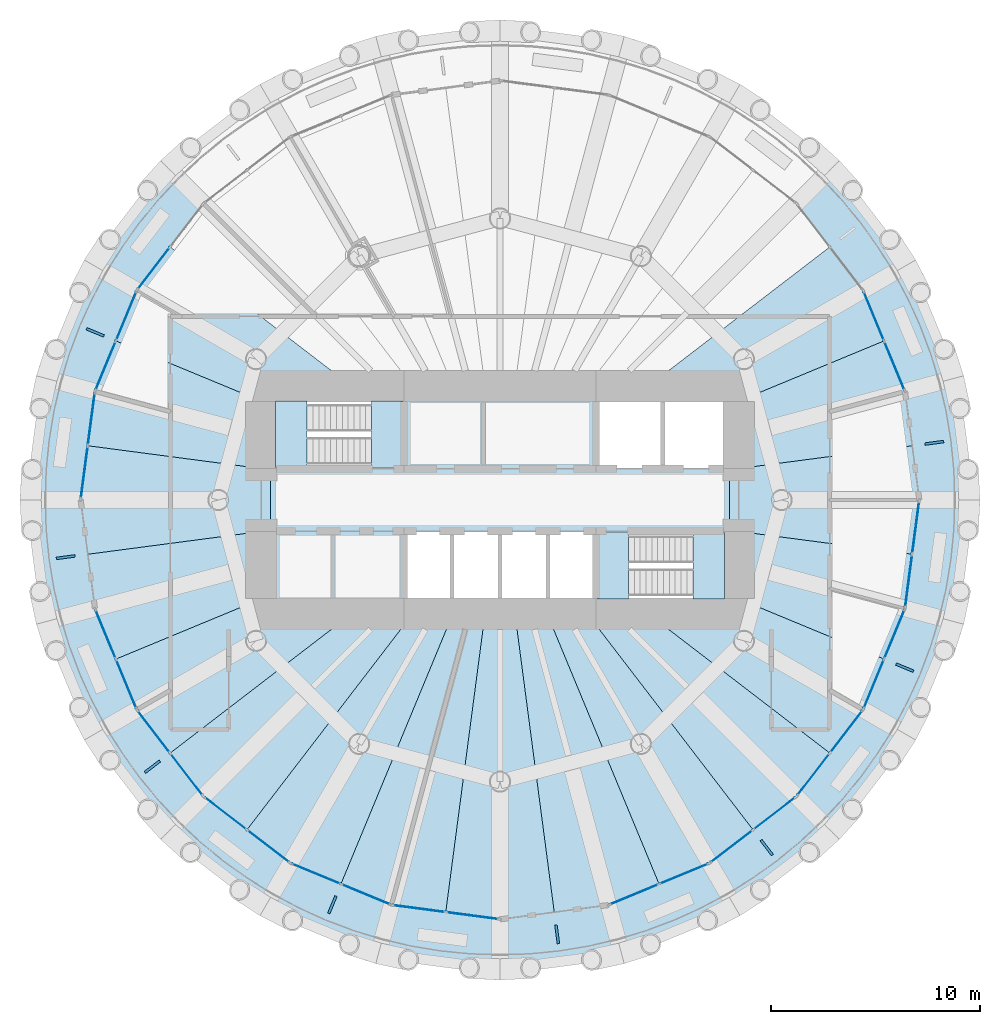
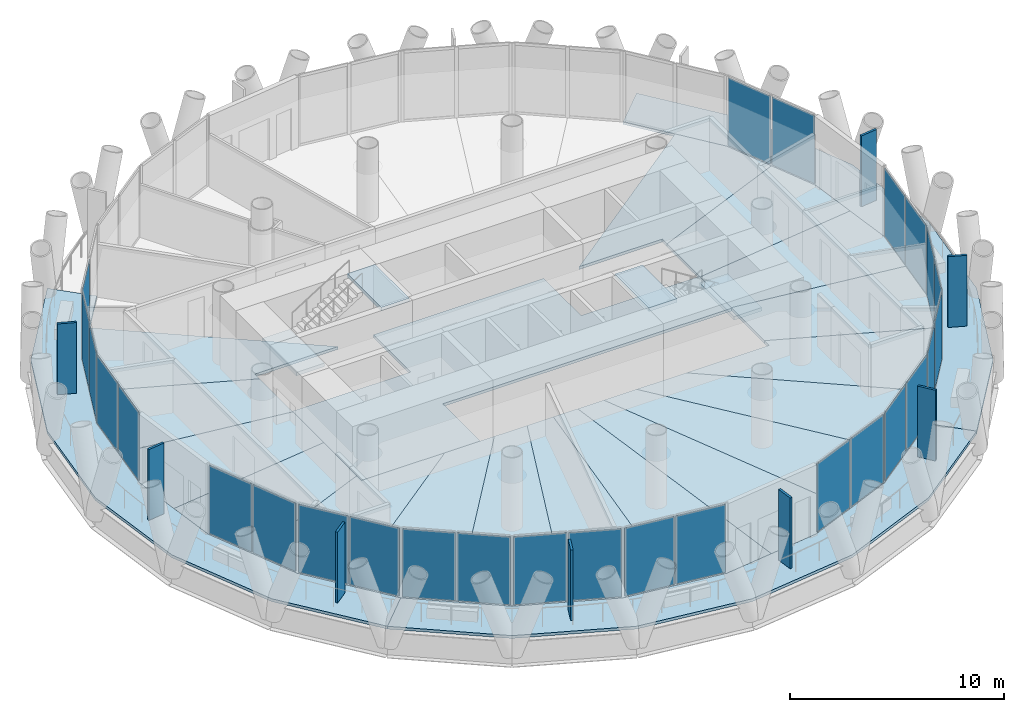
# One storey, part 7 of 14: 35 plates, 25 slabs, 16 elements without a shape of their own.
"""IFC4 building model written with IfcOpenShell, lengths in metres."""

from ifc_helpers import new_model, si_unit, direction, frame, origin, origin_2d, place, context, subcontext, project, spatial, polyline, rectangle, outline, extrude, material, layer, layer_set, type_object, element, aggregate, save


model = new_model("IFC4")

# Units and contexts
model_context = context("Model", 3, precision=1e-05, world=origin(), true_north=direction((0.0, 1.0)))
body_context = subcontext(model_context, "Body", "Model", "MODEL_VIEW")
ifc_project = project(units=[si_unit("LENGTHUNIT", "METRE"), si_unit("AREAUNIT", "SQUARE_METRE"), si_unit("VOLUMEUNIT", "CUBIC_METRE"), si_unit("PLANEANGLEUNIT", "RADIAN"), si_unit("MASSUNIT", "GRAM", prefix="KILO")], contexts=[model_context])

# Site, building, storey
site_placement = place(None, origin())
site = spatial("IfcSite", under=ifc_project, at=site_placement, CompositionType="ELEMENT")
building_placement = place(site_placement, origin())
building = spatial("IfcBuilding", under=site, at=building_placement, Name="Qaws Media Tower", CompositionType="ELEMENT")
storey_placement = place(building_placement, frame((0.0, 0.0, 227.60009765625)))
storey = spatial("IfcBuildingStorey", under=building, at=storey_placement, Name="L52", CompositionType="ELEMENT", Elevation=227.60009765625)

# Slabs
ifc_material_1 = material(Name="Concrete C35/45", Category="concrete")
ifc_layer_1 = layer(ifc_material_1, 0.159912109375)
ifc_layer_set_1 = layer_set([ifc_layer_1], Name="Composite balcony slab 160")
slab_type_1 = type_object("IfcSlabType", Name="Composite balcony slab 160", PredefinedType="FLOOR", material=ifc_layer_set_1)
slab_1_placement = place(storey_placement, frame((0.0, 0.0, -0.16015625)))
element("IfcSlab", 1, at=slab_1_placement, inside=storey, type_object=slab_type_1, Name="S2 balcony slab L52 R10 to R16, movement joints on R10 and R16", PredefinedType="FLOOR", context=body_context, shape_type="SweptSolid", body=[
    extrude(outline(polyline([(40.514404296875, 38.75), (38.2666015625, 44.176513671875), (37.5, 50.0), (38.2666015625, 55.823486328125), (40.514404296875, 61.25), (44.090087890625, 65.909912109375), (45.787109375, 64.212890625), (42.593017578125, 60.050048828125), (40.5849609375, 55.202392578125), (39.89990234375, 50.0), (40.5849609375, 44.797607421875), (42.593017578125, 39.949951171875), (45.787109375, 35.787109375), (44.090087890625, 34.090087890625), (40.514404296875, 38.75)])), origin(), (0.0, 0.0, 1.0), 0.16015625),
])
slab_2_placement = place(storey_placement, frame((0.0, 0.0, -0.16015625)))
element("IfcSlab", 2, at=slab_2_placement, inside=storey, type_object=slab_type_1, Name="S2 balcony slab L52 R16 to R22, movement joints on R16 and R22", PredefinedType="FLOOR", context=body_context, shape_type="SweptSolid", body=[
    extrude(outline(polyline([(71.25, 30.514404296875), (65.823486328125, 28.2666015625), (60.0, 27.5), (54.176513671875, 28.2666015625), (48.75, 30.514404296875), (44.090087890625, 34.090087890625), (45.787109375, 35.787109375), (49.949951171875, 32.593017578125), (54.797607421875, 30.5849609375), (60.0, 29.89990234375), (65.202392578125, 30.5849609375), (70.050048828125, 32.593017578125), (74.212890625, 35.787109375), (75.909912109375, 34.090087890625), (71.25, 30.514404296875)])), origin(), (0.0, 0.0, 1.0), 0.16015625),
])
slab_3_placement = place(storey_placement, frame((0.0, 0.0, -0.16015625)))
element("IfcSlab", 3, at=slab_3_placement, inside=storey, type_object=slab_type_1, Name="S2 balcony slab L52 R22 to R04, movement joints on R22 and R04", PredefinedType="FLOOR", context=body_context, shape_type="SweptSolid", body=[
    extrude(outline(polyline([(79.485595703125, 38.75), (75.909912109375, 34.090087890625), (74.212890625, 35.787109375), (77.406982421875, 39.949951171875), (79.4150390625, 44.797607421875), (80.10009765625, 50.0), (79.4150390625, 55.202392578125), (77.406982421875, 60.050048828125), (74.212890625, 64.212890625), (75.909912109375, 65.909912109375), (79.485595703125, 61.25), (81.7333984375, 55.823486328125), (82.5, 50.0), (81.7333984375, 44.176513671875), (79.485595703125, 38.75)])), origin(), (0.0, 0.0, 1.0), 0.16015625),
])
ifc_material_2 = material(Name="Concrete C35/45", Category="concrete")
ifc_layer_2 = layer(ifc_material_2, 0.159912109375)
ifc_layer_set_2 = layer_set([ifc_layer_2], Name="Composite floor slab 160")
slab_type_2 = type_object("IfcSlabType", Name="Composite floor slab 160", PredefinedType="FLOOR", material=ifc_layer_set_2)
slab_4_placement = place(storey_placement, frame((0.0, 0.0, -0.16015625)))
element("IfcSlab", 4, at=slab_4_placement, inside=storey, type_object=slab_type_2, Name="S1 core floor slab L52", PredefinedType="FLOOR", context=body_context, shape_type="SweptSolid", body=[
    extrude(outline(polyline([(71.0, 51.5), (71.0, 48.5), (55.39990234375, 48.5), (55.39990234375, 45.0), (49.0, 45.0), (49.0, 51.5), (55.39990234375, 51.5), (55.39990234375, 55.0), (64.60009765625, 55.0), (64.60009765625, 51.5), (71.0, 51.5)])), origin(), (0.0, 0.0, 1.0), 0.16015625),
])
slab_5_placement = place(storey_placement, frame((0.0, 0.0, -0.16015625)))
element("IfcSlab", 5, at=slab_5_placement, inside=storey, type_object=slab_type_2, Name="S1 floor panel L52 on R01", PredefinedType="FLOOR", context=body_context, shape_type="SweptSolid", body=[
    extrude(outline(polyline([(80.10009765625, 50.0), (79.757568359375, 47.39892578125), (71.0, 48.5517578125), (71.0, 51.4482421875), (79.757568359375, 52.60107421875), (80.10009765625, 50.0)])), origin(), (0.0, 0.0, 1.0), 0.16015625),
])
slab_6_placement = place(storey_placement, frame((0.0, 0.0, -0.16015625)))
element("IfcSlab", 6, at=slab_6_placement, inside=storey, type_object=slab_type_2, Name="S1 floor panel L52 on R02", PredefinedType="FLOOR", context=body_context, shape_type="SweptSolid", body=[
    extrude(outline(polyline([(79.4150390625, 55.202392578125), (79.757568359375, 52.60107421875), (71.0, 51.4482421875), (71.0, 54.556396484375), (78.4111328125, 57.626220703125), (79.4150390625, 55.202392578125)])), origin(), (0.0, 0.0, 1.0), 0.16015625),
])
slab_7_placement = place(storey_placement, frame((0.0, 0.0, -0.16015625)))
element("IfcSlab", 7, at=slab_7_placement, inside=storey, type_object=slab_type_2, Name="S1 floor panel L52 on R03", PredefinedType="FLOOR", context=body_context, shape_type="SweptSolid", body=[
    extrude(outline(polyline([(77.406982421875, 60.050048828125), (78.4111328125, 57.626220703125), (71.0, 54.556396484375), (71.0, 55.0), (66.51611328125, 55.0), (75.81005859375, 62.13134765625), (77.406982421875, 60.050048828125)])), origin(), (0.0, 0.0, 1.0), 0.16015625),
])
slab_8_placement = place(storey_placement, frame((0.0, 0.0, -0.16015625)))
element("IfcSlab", 8, at=slab_8_placement, inside=storey, type_object=slab_type_2, Name="S1 floor panel L52 on R11", PredefinedType="FLOOR", context=body_context, shape_type="SweptSolid", body=[
    extrude(outline(polyline([(42.593017578125, 60.050048828125), (44.18994140625, 62.13134765625), (53.48388671875, 55.0), (49.0, 55.0), (49.0, 54.556396484375), (41.5888671875, 57.626220703125), (42.593017578125, 60.050048828125)])), origin(), (0.0, 0.0, 1.0), 0.16015625),
])
slab_9_placement = place(storey_placement, frame((0.0, 0.0, -0.16015625)))
element("IfcSlab", 9, at=slab_9_placement, inside=storey, type_object=slab_type_2, Name="S1 floor panel L52 on R12", PredefinedType="FLOOR", context=body_context, shape_type="SweptSolid", body=[
    extrude(outline(polyline([(40.5849609375, 55.202392578125), (41.5888671875, 57.626220703125), (49.0, 54.556396484375), (49.0, 51.4482421875), (40.242431640625, 52.60107421875), (40.5849609375, 55.202392578125)])), origin(), (0.0, 0.0, 1.0), 0.16015625),
])
slab_10_placement = place(storey_placement, frame((0.0, 0.0, -0.16015625)))
element("IfcSlab", 10, at=slab_10_placement, inside=storey, type_object=slab_type_2, Name="S1 floor panel L52 on R13", PredefinedType="FLOOR", context=body_context, shape_type="SweptSolid", body=[
    extrude(outline(polyline([(39.89990234375, 50.0), (40.242431640625, 52.60107421875), (49.0, 51.4482421875), (49.0, 48.5517578125), (40.242431640625, 47.39892578125), (39.89990234375, 50.0)])), origin(), (0.0, 0.0, 1.0), 0.16015625),
])
slab_11_placement = place(storey_placement, frame((0.0, 0.0, -0.16015625)))
element("IfcSlab", 11, at=slab_11_placement, inside=storey, type_object=slab_type_2, Name="S1 floor panel L52 on R14", PredefinedType="FLOOR", context=body_context, shape_type="SweptSolid", body=[
    extrude(outline(polyline([(40.5849609375, 44.797607421875), (40.242431640625, 47.39892578125), (49.0, 48.5517578125), (49.0, 45.443603515625), (41.5888671875, 42.373779296875), (40.5849609375, 44.797607421875)])), origin(), (0.0, 0.0, 1.0), 0.16015625),
])
slab_12_placement = place(storey_placement, frame((0.0, 0.0, -0.16015625)))
element("IfcSlab", 12, at=slab_12_placement, inside=storey, type_object=slab_type_2, Name="S1 floor panel L52 on R15", PredefinedType="FLOOR", context=body_context, shape_type="SweptSolid", body=[
    extrude(outline(polyline([(42.593017578125, 39.949951171875), (41.5888671875, 42.373779296875), (49.0, 45.443603515625), (49.0, 45.0), (53.48388671875, 45.0), (44.18994140625, 37.86865234375), (42.593017578125, 39.949951171875)])), origin(), (0.0, 0.0, 1.0), 0.16015625),
])
slab_13_placement = place(storey_placement, frame((0.0, 0.0, -0.16015625)))
element("IfcSlab", 13, at=slab_13_placement, inside=storey, type_object=slab_type_2, Name="S1 floor panel L52 on R16", PredefinedType="FLOOR", context=body_context, shape_type="SweptSolid", body=[
    extrude(outline(polyline([(45.787109375, 35.787109375), (44.18994140625, 37.86865234375), (53.48388671875, 45.0), (56.163330078125, 45.0), (47.86865234375, 34.18994140625), (45.787109375, 35.787109375)])), origin(), (0.0, 0.0, 1.0), 0.16015625),
])
slab_14_placement = place(storey_placement, frame((0.0, 0.0, -0.16015625)))
element("IfcSlab", 14, at=slab_14_placement, inside=storey, type_object=slab_type_2, Name="S1 floor panel L52 on R17", PredefinedType="FLOOR", context=body_context, shape_type="SweptSolid", body=[
    extrude(outline(polyline([(49.949951171875, 32.593017578125), (47.86865234375, 34.18994140625), (56.163330078125, 45.0), (57.928955078125, 45.0), (52.373779296875, 31.5888671875), (49.949951171875, 32.593017578125)])), origin(), (0.0, 0.0, 1.0), 0.16015625),
])
slab_15_placement = place(storey_placement, frame((0.0, 0.0, -0.16015625)))
element("IfcSlab", 15, at=slab_15_placement, inside=storey, type_object=slab_type_2, Name="S1 floor panel L52 on R18", PredefinedType="FLOOR", context=body_context, shape_type="SweptSolid", body=[
    extrude(outline(polyline([(54.797607421875, 30.5849609375), (52.373779296875, 31.5888671875), (57.928955078125, 45.0), (59.341796875, 45.0), (57.39892578125, 30.242431640625), (54.797607421875, 30.5849609375)])), origin(), (0.0, 0.0, 1.0), 0.16015625),
])
slab_16_placement = place(storey_placement, frame((0.0, 0.0, -0.16015625)))
element("IfcSlab", 16, at=slab_16_placement, inside=storey, type_object=slab_type_2, Name="S1 floor panel L52 on R19", PredefinedType="FLOOR", context=body_context, shape_type="SweptSolid", body=[
    extrude(outline(polyline([(60.0, 29.89990234375), (57.39892578125, 30.242431640625), (59.341796875, 45.0), (60.658203125, 45.0), (62.60107421875, 30.242431640625), (60.0, 29.89990234375)])), origin(), (0.0, 0.0, 1.0), 0.16015625),
])
slab_17_placement = place(storey_placement, frame((0.0, 0.0, -0.16015625)))
element("IfcSlab", 17, at=slab_17_placement, inside=storey, type_object=slab_type_2, Name="S1 floor panel L52 on R20", PredefinedType="FLOOR", context=body_context, shape_type="SweptSolid", body=[
    extrude(outline(polyline([(65.202392578125, 30.5849609375), (62.60107421875, 30.242431640625), (60.658203125, 45.0), (62.071044921875, 45.0), (67.626220703125, 31.5888671875), (65.202392578125, 30.5849609375)])), origin(), (0.0, 0.0, 1.0), 0.16015625),
])
slab_18_placement = place(storey_placement, frame((0.0, 0.0, -0.16015625)))
element("IfcSlab", 18, at=slab_18_placement, inside=storey, type_object=slab_type_2, Name="S1 floor panel L52 on R21", PredefinedType="FLOOR", context=body_context, shape_type="SweptSolid", body=[
    extrude(outline(polyline([(70.050048828125, 32.593017578125), (67.626220703125, 31.5888671875), (62.071044921875, 45.0), (63.836669921875, 45.0), (72.13134765625, 34.18994140625), (70.050048828125, 32.593017578125)])), origin(), (0.0, 0.0, 1.0), 0.16015625),
])
slab_19_placement = place(storey_placement, frame((0.0, 0.0, -0.16015625)))
element("IfcSlab", 19, at=slab_19_placement, inside=storey, type_object=slab_type_2, Name="S1 floor panel L52 on R22", PredefinedType="FLOOR", context=body_context, shape_type="SweptSolid", body=[
    extrude(outline(polyline([(74.212890625, 35.787109375), (72.13134765625, 34.18994140625), (63.836669921875, 45.0), (66.51611328125, 45.0), (75.81005859375, 37.86865234375), (74.212890625, 35.787109375)])), origin(), (0.0, 0.0, 1.0), 0.16015625),
])
slab_20_placement = place(storey_placement, frame((0.0, 0.0, -0.16015625)))
element("IfcSlab", 20, at=slab_20_placement, inside=storey, type_object=slab_type_2, Name="S1 floor panel L52 on R23", PredefinedType="FLOOR", context=body_context, shape_type="SweptSolid", body=[
    extrude(outline(polyline([(77.406982421875, 39.949951171875), (75.81005859375, 37.86865234375), (66.51611328125, 45.0), (71.0, 45.0), (71.0, 45.443603515625), (78.4111328125, 42.373779296875), (77.406982421875, 39.949951171875)])), origin(), (0.0, 0.0, 1.0), 0.16015625),
])
slab_21_placement = place(storey_placement, frame((0.0, 0.0, -0.16015625)))
element("IfcSlab", 21, at=slab_21_placement, inside=storey, type_object=slab_type_2, Name="S1 floor panel L52 on R24", PredefinedType="FLOOR", context=body_context, shape_type="SweptSolid", body=[
    extrude(outline(polyline([(78.4111328125, 42.373779296875), (71.0, 45.443603515625), (71.0, 48.5517578125), (79.757568359375, 47.39892578125), (79.4150390625, 44.797607421875), (78.4111328125, 42.373779296875)])), origin(), (0.0, 0.0, 1.0), 0.16015625),
])

# Curtain wall, plates
ifc_material_3 = material(Name="Aluminium and clear glass", Category="aluminium")
curtain_wall_type = type_object("IfcCurtainWallType", Name="Unitised curtain wall CW-C", PredefinedType="NOTDEFINED", material=ifc_material_3)
curtain_wall_1_placement = place(storey_placement, origin())
curtain_wall_1 = element("IfcCurtainWall", 22, at=curtain_wall_1_placement, inside=storey, type_object=curtain_wall_type, Name="CWC curtain wall L52-02", PredefinedType="NOTDEFINED")
ifc_material_4 = material(Name="Clear laminated double glazing", Category="glass")
ifc_layer_3 = layer(ifc_material_4, 0.031982421875)
ifc_layer_set_3 = layer_set([ifc_layer_3], Name="Curtain wall glass unit 32")
plate_type_1 = type_object("IfcPlateType", Name="Curtain wall glass unit 32", PredefinedType="CURTAIN_PANEL", material=ifc_layer_set_3)
plate_1_placement = place(storey_placement, frame((78.905517578125, 56.4326171875, 0.080078125), z_axis=(0.0, 0.0, 1.0), x_axis=(-0.382683365302, 0.92387956029, 0.0)))
plate_1 = element("IfcPlate", 23, at=plate_1_placement, type_object=plate_type_1, Name="CWC panel 1.1", PredefinedType="CURTAIN_PANEL", context=body_context, shape_type="SweptSolid", body=[
    extrude(rectangle(XDim=2.503662109375, YDim=0.031982421875, at=origin_2d()), origin(), (0.0, 0.0, 1.0), 3.8798828125),
])
plate_2_placement = place(storey_placement, frame((77.916748046875, 58.819580078125, 0.080078125), z_axis=(0.0, 0.0, 1.0), x_axis=(-0.382683365302, 0.92387956029, 0.0)))
plate_2 = element("IfcPlate", 24, at=plate_2_placement, type_object=plate_type_1, Name="CWC panel 2.1", PredefinedType="CURTAIN_PANEL", context=body_context, shape_type="SweptSolid", body=[
    extrude(rectangle(XDim=2.503662109375, YDim=0.031982421875, at=origin_2d()), origin(), (0.0, 0.0, 1.0), 3.8798828125),
])
aggregate(curtain_wall_1, [plate_1, plate_2])

# Curtain wall, plate
curtain_wall_2_placement = place(storey_placement, origin())
curtain_wall_2 = element("IfcCurtainWall", 25, at=curtain_wall_2_placement, inside=storey, type_object=curtain_wall_type, Name="CWC curtain wall L52-10", PredefinedType="NOTDEFINED")
plate_3_placement = place(storey_placement, frame((43.403564453125, 61.106689453125, 0.080078125), z_axis=(0.0, 0.0, 1.0), x_axis=(-0.608761539048, -0.793353255855, 0.0)))
plate_3 = element("IfcPlate", 26, at=plate_3_placement, type_object=plate_type_1, Name="CWC panel 2.1", PredefinedType="CURTAIN_PANEL", context=body_context, shape_type="SweptSolid", body=[
    extrude(rectangle(XDim=2.503662109375, YDim=0.031982421875, at=origin_2d()), origin(), (0.0, 0.0, 1.0), 3.8798828125),
])
aggregate(curtain_wall_2, [plate_3])

# Curtain wall, plates
curtain_wall_3_placement = place(storey_placement, origin())
curtain_wall_3 = element("IfcCurtainWall", 27, at=curtain_wall_3_placement, inside=storey, type_object=curtain_wall_type, Name="CWC curtain wall L52-11", PredefinedType="NOTDEFINED")
plate_4_placement = place(storey_placement, frame((42.083251953125, 58.819580078125, 0.080078125), z_axis=(0.0, 0.0, 1.0), x_axis=(-0.382683365302, -0.92387956029, 0.0)))
plate_4 = element("IfcPlate", 28, at=plate_4_placement, type_object=plate_type_1, Name="CWC panel 1.1", PredefinedType="CURTAIN_PANEL", context=body_context, shape_type="SweptSolid", body=[
    extrude(rectangle(XDim=2.503662109375, YDim=0.031982421875, at=origin_2d()), origin(), (0.0, 0.0, 1.0), 3.8798828125),
])
plate_5_placement = place(storey_placement, frame((41.094482421875, 56.4326171875, 0.080078125), z_axis=(0.0, 0.0, 1.0), x_axis=(-0.382683365302, -0.92387956029, 0.0)))
plate_5 = element("IfcPlate", 29, at=plate_5_placement, type_object=plate_type_1, Name="CWC panel 2.1", PredefinedType="CURTAIN_PANEL", context=body_context, shape_type="SweptSolid", body=[
    extrude(rectangle(XDim=2.503662109375, YDim=0.031982421875, at=origin_2d()), origin(), (0.0, 0.0, 1.0), 3.8798828125),
])
aggregate(curtain_wall_3, [plate_4, plate_5])

curtain_wall_4_placement = place(storey_placement, origin())
curtain_wall_4 = element("IfcCurtainWall", 30, at=curtain_wall_4_placement, inside=storey, type_object=curtain_wall_type, Name="CWC curtain wall L52-12", PredefinedType="NOTDEFINED")
plate_6_placement = place(storey_placement, frame((40.4111328125, 53.8818359375, 0.080078125), z_axis=(0.0, 0.0, 1.0), x_axis=(-0.130526207759, -0.991444859328, 0.0)))
plate_6 = element("IfcPlate", 31, at=plate_6_placement, type_object=plate_type_1, Name="CWC panel 1.1", PredefinedType="CURTAIN_PANEL", context=body_context, shape_type="SweptSolid", body=[
    extrude(rectangle(XDim=2.503662109375, YDim=0.031982421875, at=origin_2d()), origin(), (0.0, 0.0, 1.0), 3.8798828125),
])
plate_7_placement = place(storey_placement, frame((40.07373046875, 51.3203125, 0.080078125), z_axis=(0.0, 0.0, 1.0), x_axis=(-0.130526207759, -0.991444859328, 0.0)))
plate_7 = element("IfcPlate", 32, at=plate_7_placement, type_object=plate_type_1, Name="CWC panel 2.1", PredefinedType="CURTAIN_PANEL", context=body_context, shape_type="SweptSolid", body=[
    extrude(rectangle(XDim=2.503662109375, YDim=0.031982421875, at=origin_2d()), origin(), (0.0, 0.0, 1.0), 3.8798828125),
])
aggregate(curtain_wall_4, [plate_6, plate_7])

curtain_wall_5_placement = place(storey_placement, origin())
curtain_wall_5 = element("IfcCurtainWall", 33, at=curtain_wall_5_placement, inside=storey, type_object=curtain_wall_type, Name="CWC curtain wall L52-14", PredefinedType="NOTDEFINED")
plate_8_placement = place(storey_placement, frame((41.094482421875, 43.5673828125, 0.080078125), z_axis=(0.0, 0.0, 1.0), x_axis=(0.382683365302, -0.92387956029, 0.0)))
plate_8 = element("IfcPlate", 34, at=plate_8_placement, type_object=plate_type_1, Name="CWC panel 1.1", PredefinedType="CURTAIN_PANEL", context=body_context, shape_type="SweptSolid", body=[
    extrude(rectangle(XDim=2.503662109375, YDim=0.031982421875, at=origin_2d()), origin(), (0.0, 0.0, 1.0), 3.8798828125),
])
plate_9_placement = place(storey_placement, frame((42.083251953125, 41.180419921875, 0.080078125), z_axis=(0.0, 0.0, 1.0), x_axis=(0.382683365302, -0.92387956029, 0.0)))
plate_9 = element("IfcPlate", 35, at=plate_9_placement, type_object=plate_type_1, Name="CWC panel 2.1", PredefinedType="CURTAIN_PANEL", context=body_context, shape_type="SweptSolid", body=[
    extrude(rectangle(XDim=2.503662109375, YDim=0.031982421875, at=origin_2d()), origin(), (0.0, 0.0, 1.0), 3.8798828125),
])
aggregate(curtain_wall_5, [plate_8, plate_9])

curtain_wall_6_placement = place(storey_placement, origin())
curtain_wall_6 = element("IfcCurtainWall", 36, at=curtain_wall_6_placement, inside=storey, type_object=curtain_wall_type, Name="CWC curtain wall L52-15", PredefinedType="NOTDEFINED")
plate_10_placement = place(storey_placement, frame((43.403564453125, 38.893310546875, 0.080078125), z_axis=(0.0, 0.0, 1.0), x_axis=(0.608761539048, -0.793353255855, 0.0)))
plate_10 = element("IfcPlate", 37, at=plate_10_placement, type_object=plate_type_1, Name="CWC panel 1.1", PredefinedType="CURTAIN_PANEL", context=body_context, shape_type="SweptSolid", body=[
    extrude(rectangle(XDim=2.503662109375, YDim=0.031982421875, at=origin_2d()), origin(), (0.0, 0.0, 1.0), 3.8798828125),
])
plate_11_placement = place(storey_placement, frame((44.976318359375, 36.84375, 0.080078125), z_axis=(0.0, 0.0, 1.0), x_axis=(0.608761539048, -0.793353255855, 0.0)))
plate_11 = element("IfcPlate", 38, at=plate_11_placement, type_object=plate_type_1, Name="CWC panel 2.1", PredefinedType="CURTAIN_PANEL", context=body_context, shape_type="SweptSolid", body=[
    extrude(rectangle(XDim=2.503662109375, YDim=0.031982421875, at=origin_2d()), origin(), (0.0, 0.0, 1.0), 3.8798828125),
])
aggregate(curtain_wall_6, [plate_10, plate_11])

curtain_wall_7_placement = place(storey_placement, origin())
curtain_wall_7 = element("IfcCurtainWall", 39, at=curtain_wall_7_placement, inside=storey, type_object=curtain_wall_type, Name="CWC curtain wall L52-16", PredefinedType="NOTDEFINED")
plate_12_placement = place(storey_placement, frame((46.84375, 34.976318359375, 0.080078125), z_axis=(0.0, 0.0, 1.0), x_axis=(0.793353255855, -0.608761539048, 0.0)))
plate_12 = element("IfcPlate", 40, at=plate_12_placement, type_object=plate_type_1, Name="CWC panel 1.1", PredefinedType="CURTAIN_PANEL", context=body_context, shape_type="SweptSolid", body=[
    extrude(rectangle(XDim=2.503662109375, YDim=0.031982421875, at=origin_2d()), origin(), (0.0, 0.0, 1.0), 3.8798828125),
])
plate_13_placement = place(storey_placement, frame((48.893310546875, 33.403564453125, 0.080078125), z_axis=(0.0, 0.0, 1.0), x_axis=(0.793353255855, -0.608761539048, 0.0)))
plate_13 = element("IfcPlate", 41, at=plate_13_placement, type_object=plate_type_1, Name="CWC panel 2.1", PredefinedType="CURTAIN_PANEL", context=body_context, shape_type="SweptSolid", body=[
    extrude(rectangle(XDim=2.503662109375, YDim=0.031982421875, at=origin_2d()), origin(), (0.0, 0.0, 1.0), 3.8798828125),
])
aggregate(curtain_wall_7, [plate_12, plate_13])

curtain_wall_8_placement = place(storey_placement, origin())
curtain_wall_8 = element("IfcCurtainWall", 42, at=curtain_wall_8_placement, inside=storey, type_object=curtain_wall_type, Name="CWC curtain wall L52-17", PredefinedType="NOTDEFINED")
plate_14_placement = place(storey_placement, frame((51.180419921875, 32.083251953125, 0.080078125), z_axis=(0.0, 0.0, 1.0), x_axis=(0.92387956029, -0.382683365302, 0.0)))
plate_14 = element("IfcPlate", 43, at=plate_14_placement, type_object=plate_type_1, Name="CWC panel 1.1", PredefinedType="CURTAIN_PANEL", context=body_context, shape_type="SweptSolid", body=[
    extrude(rectangle(XDim=2.503662109375, YDim=0.031982421875, at=origin_2d()), origin(), (0.0, 0.0, 1.0), 3.8798828125),
])
plate_15_placement = place(storey_placement, frame((53.5673828125, 31.094482421875, 0.080078125), z_axis=(0.0, 0.0, 1.0), x_axis=(0.92387956029, -0.382683365302, 0.0)))
plate_15 = element("IfcPlate", 44, at=plate_15_placement, type_object=plate_type_1, Name="CWC panel 2.1", PredefinedType="CURTAIN_PANEL", context=body_context, shape_type="SweptSolid", body=[
    extrude(rectangle(XDim=2.503662109375, YDim=0.031982421875, at=origin_2d()), origin(), (0.0, 0.0, 1.0), 3.8798828125),
])
aggregate(curtain_wall_8, [plate_14, plate_15])

curtain_wall_9_placement = place(storey_placement, origin())
curtain_wall_9 = element("IfcCurtainWall", 45, at=curtain_wall_9_placement, inside=storey, type_object=curtain_wall_type, Name="CWC curtain wall L52-18", PredefinedType="NOTDEFINED")
plate_16_placement = place(storey_placement, frame((56.1181640625, 30.4111328125, 0.080078125), z_axis=(0.0, 0.0, 1.0), x_axis=(0.991444859328, -0.130526207759, 0.0)))
plate_16 = element("IfcPlate", 46, at=plate_16_placement, type_object=plate_type_1, Name="CWC panel 1.1", PredefinedType="CURTAIN_PANEL", context=body_context, shape_type="SweptSolid", body=[
    extrude(rectangle(XDim=2.503662109375, YDim=0.031982421875, at=origin_2d()), origin(), (0.0, 0.0, 1.0), 3.8798828125),
])
plate_17_placement = place(storey_placement, frame((58.6796875, 30.07373046875, 0.080078125), z_axis=(0.0, 0.0, 1.0), x_axis=(0.991444859328, -0.130526207759, 0.0)))
plate_17 = element("IfcPlate", 47, at=plate_17_placement, type_object=plate_type_1, Name="CWC panel 2.1", PredefinedType="CURTAIN_PANEL", context=body_context, shape_type="SweptSolid", body=[
    extrude(rectangle(XDim=2.503662109375, YDim=0.031982421875, at=origin_2d()), origin(), (0.0, 0.0, 1.0), 3.8798828125),
])
aggregate(curtain_wall_9, [plate_16, plate_17])

curtain_wall_10_placement = place(storey_placement, origin())
curtain_wall_10 = element("IfcCurtainWall", 48, at=curtain_wall_10_placement, inside=storey, type_object=curtain_wall_type, Name="CWC curtain wall L52-20", PredefinedType="NOTDEFINED")
plate_18_placement = place(storey_placement, frame((66.4326171875, 31.094482421875, 0.080078125), z_axis=(0.0, 0.0, 1.0), x_axis=(0.92387956029, 0.382683365302, 0.0)))
plate_18 = element("IfcPlate", 49, at=plate_18_placement, type_object=plate_type_1, Name="CWC panel 1.1", PredefinedType="CURTAIN_PANEL", context=body_context, shape_type="SweptSolid", body=[
    extrude(rectangle(XDim=2.503662109375, YDim=0.031982421875, at=origin_2d()), origin(), (0.0, 0.0, 1.0), 3.8798828125),
])
plate_19_placement = place(storey_placement, frame((68.819580078125, 32.083251953125, 0.080078125), z_axis=(0.0, 0.0, 1.0), x_axis=(0.92387956029, 0.382683365302, 0.0)))
plate_19 = element("IfcPlate", 50, at=plate_19_placement, type_object=plate_type_1, Name="CWC panel 2.1", PredefinedType="CURTAIN_PANEL", context=body_context, shape_type="SweptSolid", body=[
    extrude(rectangle(XDim=2.503662109375, YDim=0.031982421875, at=origin_2d()), origin(), (0.0, 0.0, 1.0), 3.8798828125),
])
aggregate(curtain_wall_10, [plate_18, plate_19])

curtain_wall_11_placement = place(storey_placement, origin())
curtain_wall_11 = element("IfcCurtainWall", 51, at=curtain_wall_11_placement, inside=storey, type_object=curtain_wall_type, Name="CWC curtain wall L52-21", PredefinedType="NOTDEFINED")
plate_20_placement = place(storey_placement, frame((71.106689453125, 33.403564453125, 0.080078125), z_axis=(0.0, 0.0, 1.0), x_axis=(0.793353255855, 0.608761539048, 0.0)))
plate_20 = element("IfcPlate", 52, at=plate_20_placement, type_object=plate_type_1, Name="CWC panel 1.1", PredefinedType="CURTAIN_PANEL", context=body_context, shape_type="SweptSolid", body=[
    extrude(rectangle(XDim=2.503662109375, YDim=0.031982421875, at=origin_2d()), origin(), (0.0, 0.0, 1.0), 3.8798828125),
])
plate_21_placement = place(storey_placement, frame((73.15625, 34.976318359375, 0.080078125), z_axis=(0.0, 0.0, 1.0), x_axis=(0.793353255855, 0.608761539048, 0.0)))
plate_21 = element("IfcPlate", 53, at=plate_21_placement, type_object=plate_type_1, Name="CWC panel 2.1", PredefinedType="CURTAIN_PANEL", context=body_context, shape_type="SweptSolid", body=[
    extrude(rectangle(XDim=2.503662109375, YDim=0.031982421875, at=origin_2d()), origin(), (0.0, 0.0, 1.0), 3.8798828125),
])
aggregate(curtain_wall_11, [plate_20, plate_21])

curtain_wall_12_placement = place(storey_placement, origin())
curtain_wall_12 = element("IfcCurtainWall", 54, at=curtain_wall_12_placement, inside=storey, type_object=curtain_wall_type, Name="CWC curtain wall L52-22", PredefinedType="NOTDEFINED")
plate_22_placement = place(storey_placement, frame((75.023681640625, 36.84375, 0.080078125), z_axis=(0.0, 0.0, 1.0), x_axis=(0.608761539048, 0.793353255855, 0.0)))
plate_22 = element("IfcPlate", 55, at=plate_22_placement, type_object=plate_type_1, Name="CWC panel 1.1", PredefinedType="CURTAIN_PANEL", context=body_context, shape_type="SweptSolid", body=[
    extrude(rectangle(XDim=2.503662109375, YDim=0.031982421875, at=origin_2d()), origin(), (0.0, 0.0, 1.0), 3.8798828125),
])
plate_23_placement = place(storey_placement, frame((76.596435546875, 38.893310546875, 0.080078125), z_axis=(0.0, 0.0, 1.0), x_axis=(0.608761539048, 0.793353255855, 0.0)))
plate_23 = element("IfcPlate", 56, at=plate_23_placement, type_object=plate_type_1, Name="CWC panel 2.1", PredefinedType="CURTAIN_PANEL", context=body_context, shape_type="SweptSolid", body=[
    extrude(rectangle(XDim=2.503662109375, YDim=0.031982421875, at=origin_2d()), origin(), (0.0, 0.0, 1.0), 3.8798828125),
])
aggregate(curtain_wall_12, [plate_22, plate_23])

curtain_wall_13_placement = place(storey_placement, origin())
curtain_wall_13 = element("IfcCurtainWall", 57, at=curtain_wall_13_placement, inside=storey, type_object=curtain_wall_type, Name="CWC curtain wall L52-23", PredefinedType="NOTDEFINED")
plate_24_placement = place(storey_placement, frame((77.916748046875, 41.180419921875, 0.080078125), z_axis=(0.0, 0.0, 1.0), x_axis=(0.382683365302, 0.92387956029, 0.0)))
plate_24 = element("IfcPlate", 58, at=plate_24_placement, type_object=plate_type_1, Name="CWC panel 1.1", PredefinedType="CURTAIN_PANEL", context=body_context, shape_type="SweptSolid", body=[
    extrude(rectangle(XDim=2.503662109375, YDim=0.031982421875, at=origin_2d()), origin(), (0.0, 0.0, 1.0), 3.8798828125),
])
plate_25_placement = place(storey_placement, frame((78.905517578125, 43.5673828125, 0.080078125), z_axis=(0.0, 0.0, 1.0), x_axis=(0.382683365302, 0.92387956029, 0.0)))
plate_25 = element("IfcPlate", 59, at=plate_25_placement, type_object=plate_type_1, Name="CWC panel 2.1", PredefinedType="CURTAIN_PANEL", context=body_context, shape_type="SweptSolid", body=[
    extrude(rectangle(XDim=2.503662109375, YDim=0.031982421875, at=origin_2d()), origin(), (0.0, 0.0, 1.0), 3.8798828125),
])
aggregate(curtain_wall_13, [plate_24, plate_25])

curtain_wall_14_placement = place(storey_placement, origin())
curtain_wall_14 = element("IfcCurtainWall", 60, at=curtain_wall_14_placement, inside=storey, type_object=curtain_wall_type, Name="CWC curtain wall L52-24", PredefinedType="NOTDEFINED")
plate_26_placement = place(storey_placement, frame((79.5888671875, 46.1181640625, 0.080078125), z_axis=(0.0, 0.0, 1.0), x_axis=(0.130526207759, 0.991444859328, 0.0)))
plate_26 = element("IfcPlate", 61, at=plate_26_placement, type_object=plate_type_1, Name="CWC panel 1.1", PredefinedType="CURTAIN_PANEL", context=body_context, shape_type="SweptSolid", body=[
    extrude(rectangle(XDim=2.503662109375, YDim=0.031982421875, at=origin_2d()), origin(), (0.0, 0.0, 1.0), 3.8798828125),
])
plate_27_placement = place(storey_placement, frame((79.92626953125, 48.6796875, 0.080078125), z_axis=(0.0, 0.0, 1.0), x_axis=(0.130526207759, 0.991444859328, 0.0)))
plate_27 = element("IfcPlate", 62, at=plate_27_placement, type_object=plate_type_1, Name="CWC panel 2.1", PredefinedType="CURTAIN_PANEL", context=body_context, shape_type="SweptSolid", body=[
    extrude(rectangle(XDim=2.503662109375, YDim=0.031982421875, at=origin_2d()), origin(), (0.0, 0.0, 1.0), 3.8798828125),
])
aggregate(curtain_wall_14, [plate_26, plate_27])

# Plates
ifc_material_5 = material(Name="Precast concrete screen fin", Category="concrete")
ifc_layer_4 = layer(ifc_material_5, 0.1201171875)
ifc_layer_set_4 = layer_set([ifc_layer_4], Name="Screen fin 120x900")
plate_type_2 = type_object("IfcPlateType", Name="Screen fin 120x900", PredefinedType="USERDEFINED", material=ifc_layer_set_4)
for number, where, z_axis, x_axis, name in (
    (63, (80.8203125, 52.740966796875, 0.0), (0.0, 0.0, 1.0), (0.991444861374, 0.13052619222, 0.0), "SCR1 screen fin L52-01"),
    (64, (40.5986328125, 58.036376953125, 0.0), (0.0, 0.0, 1.0), (-0.923879532511, 0.382683432365, 0.0), "SCR1 screen fin L52-06"),
    (65, (39.1796875, 47.259033203125, 0.0), (0.0, 0.0, 1.0), (-0.991444861374, -0.13052619222, 0.0), "SCR1 screen fin L52-07"),
    (66, (43.339599609375, 37.216064453125, 0.0), (0.0, 0.0, 1.0), (-0.793353340291, -0.608761429009, 0.0), "SCR1 screen fin L52-08"),
    (67, (51.963623046875, 30.5986328125, 0.0), (0.0, 0.0, 1.0), (-0.382683432365, -0.923879532511, 0.0), "SCR1 screen fin L52-09"),
    (68, (62.740966796875, 29.1796875, 0.0), (0.0, 0.0, 1.0), (0.13052619222, -0.991444861374, 0.0), "SCR1 screen fin L52-10"),
    (69, (72.783935546875, 33.339599609375, 0.0), (0.0, 0.0, 1.0), (0.608761429009, -0.793353340291, 0.0), "SCR1 screen fin L52-11"),
    (70, (79.4013671875, 41.963623046875, 0.0), (0.0, 0.0, 1.0), (0.923879532511, -0.382683432365, 0.0), "SCR1 screen fin L52-12"),
):
    element("IfcPlate", number, at=place(storey_placement, frame(where, z_axis=z_axis, x_axis=x_axis)), inside=storey, type_object=plate_type_2, Name=name, ObjectType="SCREEN", PredefinedType="USERDEFINED", context=body_context, shape_type="SweptSolid", body=[
        extrude(rectangle(XDim=0.89990234375, YDim=0.1201171875, at=origin_2d()), origin(), (0.0, 0.0, 1.0), 4.0400390625),
    ])

# Stair, slabs
ifc_material_6 = material(Name="Concrete C40/50", Category="concrete")
stair_type = type_object("IfcStairType", Name="Exit stair", PredefinedType="HALF_TURN_STAIR", material=ifc_material_6)
stair_1_placement = place(storey_placement, origin())
stair_1 = element("IfcStair", 71, at=stair_1_placement, inside=storey, type_object=stair_type, Name="S1 exit stair L52", PredefinedType="HALF_TURN_STAIR")
ifc_material_7 = material(Name="Concrete C40/50", Category="concrete")
ifc_layer_5 = layer(ifc_material_7, 0.199951171875)
ifc_layer_set_5 = layer_set([ifc_layer_5], Name="Stair landing 200")
slab_type_3 = type_object("IfcSlabType", Name="Stair landing 200", PredefinedType="LANDING", material=ifc_layer_set_5)
slab_22_placement = place(storey_placement, frame((0.0, 0.0, 1.89990234375)))
slab_22 = element("IfcSlab", 72, at=slab_22_placement, type_object=slab_type_3, Name="S1 landing 1", PredefinedType="LANDING", context=body_context, shape_type="SweptSolid", body=[
    extrude(outline(polyline([(49.25, 51.550048828125), (50.760009765625, 51.550048828125), (50.760009765625, 54.75), (49.25, 54.75), (49.25, 51.550048828125)])), origin(), (0.0, 0.0, 1.0), 0.199951171875),
])
slab_23_placement = place(storey_placement, frame((0.0, 0.0, 4.0)))
slab_23 = element("IfcSlab", 73, at=slab_23_placement, type_object=slab_type_3, Name="S1 landing 2", PredefinedType="LANDING", context=body_context, shape_type="SweptSolid", body=[
    extrude(outline(polyline([(53.840087890625, 51.550048828125), (55.35009765625, 51.550048828125), (55.35009765625, 54.75), (53.840087890625, 54.75), (53.840087890625, 51.550048828125)])), origin(), (0.0, 0.0, 1.0), 0.199951171875),
])
aggregate(stair_1, [slab_22, slab_23])

stair_2_placement = place(storey_placement, origin())
stair_2 = element("IfcStair", 74, at=stair_2_placement, inside=storey, type_object=stair_type, Name="S2 exit stair L52", PredefinedType="HALF_TURN_STAIR")
slab_24_placement = place(storey_placement, frame((0.0, 0.0, 1.89990234375)))
slab_24 = element("IfcSlab", 75, at=slab_24_placement, type_object=slab_type_3, Name="S2 landing 1", PredefinedType="LANDING", context=body_context, shape_type="SweptSolid", body=[
    extrude(outline(polyline([(69.239990234375, 45.25), (70.75, 45.25), (70.75, 48.449951171875), (69.239990234375, 48.449951171875), (69.239990234375, 45.25)])), origin(), (0.0, 0.0, 1.0), 0.199951171875),
])
slab_25_placement = place(storey_placement, frame((0.0, 0.0, 4.0)))
slab_25 = element("IfcSlab", 76, at=slab_25_placement, type_object=slab_type_3, Name="S2 landing 2", PredefinedType="LANDING", context=body_context, shape_type="SweptSolid", body=[
    extrude(outline(polyline([(64.64990234375, 45.25), (66.159912109375, 45.25), (66.159912109375, 48.449951171875), (64.64990234375, 48.449951171875), (64.64990234375, 45.25)])), origin(), (0.0, 0.0, 1.0), 0.199951171875),
])
aggregate(stair_2, [slab_24, slab_25])

save(model, "model.ifc")
